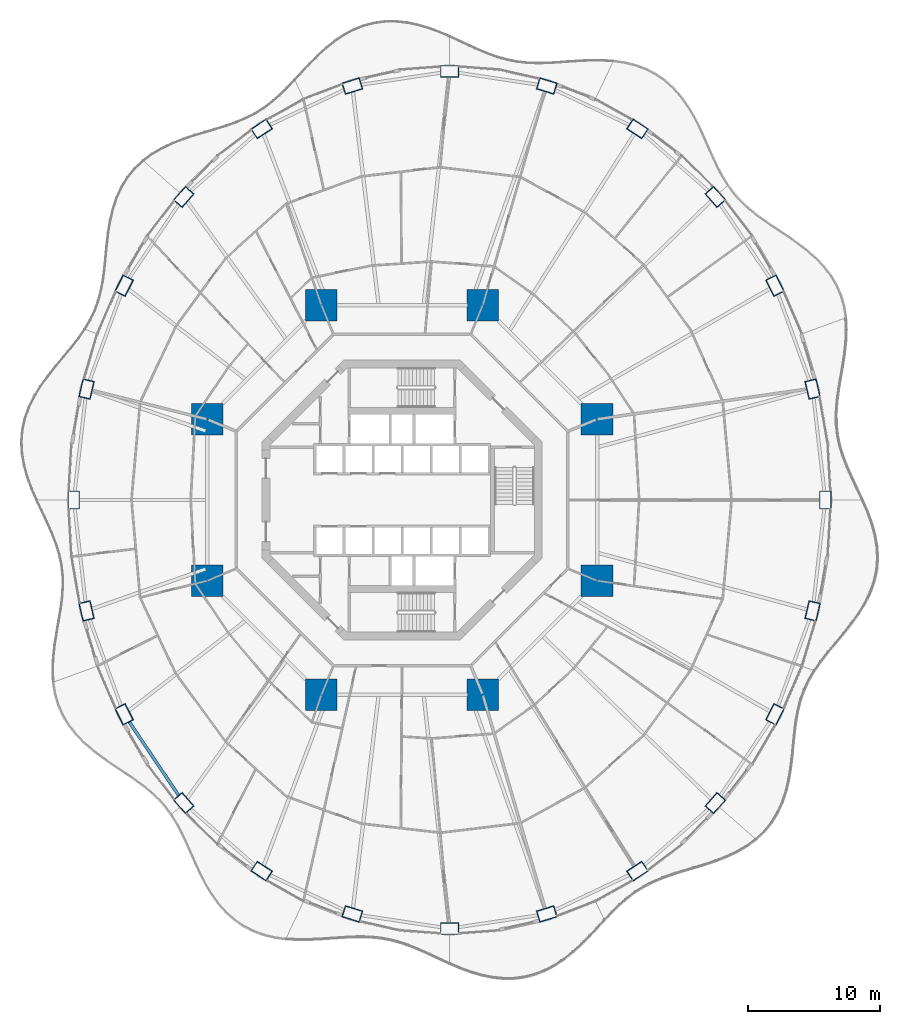
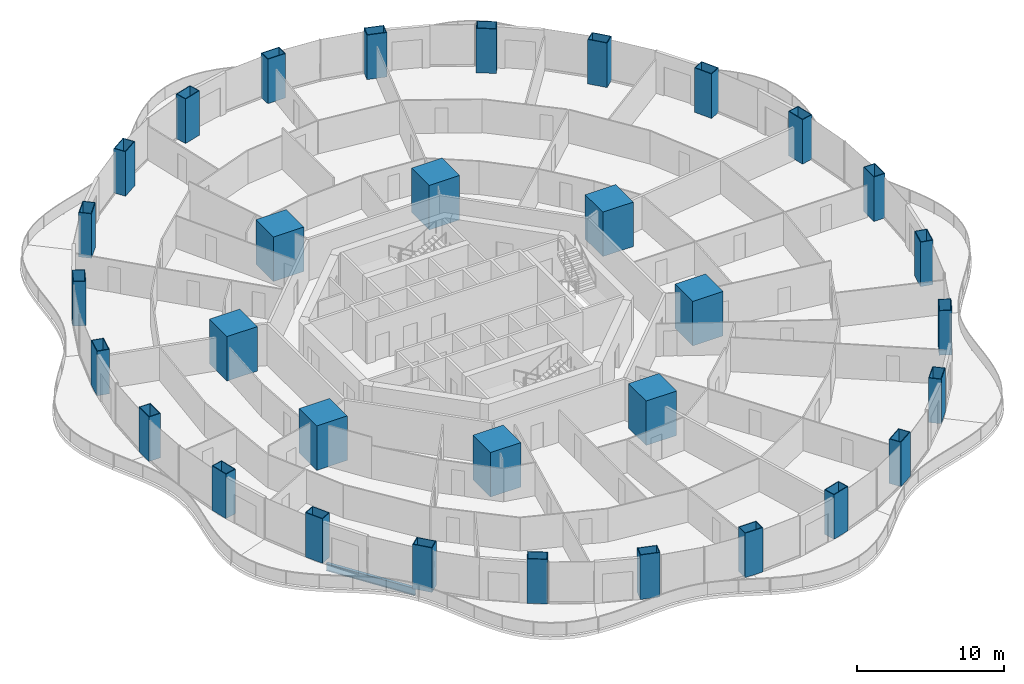
# One storey, part 1 of 22: 32 columns, 1 beam.
"""IFC4 building model written with IfcOpenShell, lengths in metres."""

from ifc_helpers import new_model, si_unit, direction, frame, origin, origin_2d, place, context, subcontext, project, spatial, rectangle, hollow_rectangle, i_section, extrude, material, material_profile, profile_set, type_object, element, save


model = new_model("IFC4")

# Units and contexts
model_context = context("Model", 3, precision=1e-05, world=origin(), true_north=direction((0.0, 1.0)))
body_context = subcontext(model_context, "Body", "Model", "MODEL_VIEW")
ifc_project = project(units=[si_unit("LENGTHUNIT", "METRE"), si_unit("AREAUNIT", "SQUARE_METRE"), si_unit("VOLUMEUNIT", "CUBIC_METRE"), si_unit("PLANEANGLEUNIT", "RADIAN"), si_unit("MASSUNIT", "GRAM", prefix="KILO")], contexts=[model_context])

# Site, building, storey
site_placement = place(None, origin())
site = spatial("IfcSite", under=ifc_project, at=site_placement, CompositionType="ELEMENT")
building_placement = place(site_placement, origin())
building = spatial("IfcBuilding", under=site, at=building_placement, Name="Nagisa Residences", CompositionType="ELEMENT")
storey_placement = place(building_placement, frame((0.0, 0.0, 38.10009765625)))
storey = spatial("IfcBuildingStorey", under=building, at=storey_placement, Name="L08", CompositionType="ELEMENT", Elevation=38.10009765625)

# Columns
ifc_material_1 = material(Name="Concrete C80", Category="concrete")
ifc_material_profile_1 = material_profile(ifc_material_1, rectangle(XDim=2.39990234375, YDim=2.39990234375, at=origin_2d()), Name="C80 2400x2400")
ifc_profile_set_1 = profile_set([ifc_material_profile_1], Name="Concrete C80")
column_type_1 = type_object("IfcColumnType", Name="Inner megacolumn C80 2400x2400", PredefinedType="COLUMN", material=ifc_profile_set_1)
for number, where, z_axis, x_axis, name in (
    (1, (14.781982421875, 6.123046875, 0.0), (0.0, 0.0, 1.0), (1.0, 0.0, 0.0), "col:L08:i1"),
    (2, (6.123046875, 14.781982421875, 0.0), (0.0, 0.0, 1.0), (1.0, 0.0, 0.0), "col:L08:i2"),
    (3, (-6.123046875, 14.781982421875, 0.0), (0.0, 0.0, 1.0), (1.0, 0.0, 0.0), "col:L08:i3"),
    (4, (-14.781982421875, 6.123046875, 0.0), (0.0, 0.0, 1.0), (1.0, 0.0, 0.0), "col:L08:i4"),
    (5, (-14.781982421875, -6.123046875, 0.0), (0.0, 0.0, 1.0), (1.0, 0.0, 0.0), "col:L08:i5"),
    (6, (-6.123046875, -14.781982421875, 0.0), (0.0, 0.0, 1.0), (1.0, 0.0, 0.0), "col:L08:i6"),
    (7, (6.123046875, -14.781982421875, 0.0), (0.0, 0.0, 1.0), (1.0, 0.0, 0.0), "col:L08:i7"),
    (8, (14.781982421875, -6.123046875, 0.0), (0.0, 0.0, 1.0), (1.0, 0.0, 0.0), "col:L08:i8"),
):
    element("IfcColumn", number, at=place(storey_placement, frame(where, z_axis=z_axis, x_axis=x_axis)), inside=storey, type_object=column_type_1, Name=name, PredefinedType="COLUMN", context=body_context, shape_type="SweptSolid", body=[
        extrude(rectangle(XDim=2.39990234375, YDim=2.39990234375, at=origin_2d()), origin(), (0.0, 0.0, 1.0), 3.699951171875),
    ])
ifc_material_2 = material(Name="Steel ASTM A572 Gr 50", Category="steel")
ifc_material_profile_2 = material_profile(ifc_material_2, hollow_rectangle(XDim=1.39990234375, YDim=0.89990234375, WallThickness=0.050048828125, at=origin_2d()), Name="BX 1400x900x50")
ifc_profile_set_2 = profile_set([ifc_material_profile_2], Name="Steel ASTM A572 Gr 50")
column_type_2 = type_object("IfcColumnType", Name="Perimeter column BX 1400x900x50", PredefinedType="COLUMN", material=ifc_profile_set_2)
for number, where, z_axis, x_axis, name in (
    (9, (32.10009765625, 0.0, 0.0), (0.0, 0.0, 1.0), (0.0, 1.0, 0.0), "col:L08:p00"),
    (10, (31.12890625, 8.41162109375, 0.0), (0.0, 0.0, 1.0), (-0.229202013103, 0.973378876486, 0.0), "col:L08:p01"),
    (11, (28.28173828125, 16.25, 0.0), (0.0, 0.0, 1.0), (-0.452462697578, 0.891783329795, 0.0), "col:L08:p02"),
    (12, (23.75244140625, 22.98095703125, 0.0), (0.0, 0.0, 1.0), (-0.660114607735, 0.751164898445, 0.0), "col:L08:p03"),
    (13, (17.85009765625, 28.145751953125, 0.0), (0.0, 0.0, 1.0), (-0.835766105673, 0.54908561865, 0.0), "col:L08:p04"),
    (14, (10.976318359375, 31.392578125, 0.0), (0.0, 0.0, 1.0), (-0.956524583408, 0.291651712384, 0.0), "col:L08:p05"),
    (15, (3.60009765625, 32.5, 0.0), (0.0, 0.0, 1.0), (-1.0, 0.0, 0.0), "col:L08:p06"),
    (16, (-3.7763671875, 31.392578125, 0.0), (0.0, 0.0, 1.0), (-0.956524583408, -0.291651712384, 0.0), "col:L08:p07"),
    (17, (-10.64990234375, 28.145751953125, 0.0), (0.0, 0.0, 1.0), (-0.835766105673, -0.54908561865, 0.0), "col:L08:p08"),
    (18, (-16.552490234375, 22.98095703125, 0.0), (0.0, 0.0, 1.0), (-0.660114607735, -0.751164898445, 0.0), "col:L08:p09"),
    (19, (-21.081787109375, 16.25, 0.0), (0.0, 0.0, 1.0), (-0.452462697578, -0.891783329795, 0.0), "col:L08:p10"),
    (20, (-23.928955078125, 8.41162109375, 0.0), (0.0, 0.0, 1.0), (-0.229202013103, -0.973378876486, 0.0), "col:L08:p11"),
    (21, (-24.89990234375, 0.0, 0.0), (0.0, 0.0, 1.0), (0.0, -1.0, 0.0), "col:L08:p12"),
    (22, (-23.928955078125, -8.41162109375, 0.0), (0.0, 0.0, 1.0), (0.229202013103, -0.973378876486, 0.0), "col:L08:p13"),
    (23, (-21.081787109375, -16.25, 0.0), (0.0, 0.0, 1.0), (0.452462697578, -0.891783329795, 0.0), "col:L08:p14"),
    (24, (-16.552490234375, -22.98095703125, 0.0), (0.0, 0.0, 1.0), (0.660114607735, -0.751164898445, 0.0), "col:L08:p15"),
    (25, (-10.64990234375, -28.145751953125, 0.0), (0.0, 0.0, 1.0), (0.835766105673, -0.54908561865, 0.0), "col:L08:p16"),
    (26, (-3.7763671875, -31.392578125, 0.0), (0.0, 0.0, 1.0), (0.956524583408, -0.291651712384, 0.0), "col:L08:p17"),
    (27, (3.60009765625, -32.5, 0.0), (0.0, 0.0, 1.0), (1.0, 0.0, 0.0), "col:L08:p18"),
    (28, (10.976318359375, -31.392578125, 0.0), (0.0, 0.0, 1.0), (0.956524583408, 0.291651712384, 0.0), "col:L08:p19"),
    (29, (17.85009765625, -28.145751953125, 0.0), (0.0, 0.0, 1.0), (0.835766105673, 0.54908561865, 0.0), "col:L08:p20"),
    (30, (23.75244140625, -22.98095703125, 0.0), (0.0, 0.0, 1.0), (0.660114607735, 0.751164898445, 0.0), "col:L08:p21"),
    (31, (28.28173828125, -16.25, 0.0), (0.0, 0.0, 1.0), (0.452462697578, 0.891783329795, 0.0), "col:L08:p22"),
    (32, (31.12890625, -8.41162109375, 0.0), (0.0, 0.0, 1.0), (0.229202013103, 0.973378876486, 0.0), "col:L08:p23"),
):
    element("IfcColumn", number, at=place(storey_placement, frame(where, z_axis=z_axis, x_axis=x_axis)), inside=storey, type_object=column_type_2, Name=name, PredefinedType="COLUMN", context=body_context, shape_type="SweptSolid", body=[
        extrude(hollow_rectangle(XDim=1.39990234375, YDim=0.89990234375, WallThickness=0.050048828125, at=origin_2d()), origin(), (0.0, 0.0, 1.0), 3.699951171875),
    ])

# Beam
ifc_material_3 = material(Name="Steel ASTM A572 Gr 50", Category="steel")
ifc_material_profile_3 = material_profile(ifc_material_3, i_section(OverallWidth=0.22802734375, OverallDepth=0.60302734375, WebThickness=0.010498046875, FlangeThickness=0.014892578125, at=origin_2d()), Name="W610x101")
ifc_profile_set_3 = profile_set([ifc_material_profile_3], Name="Steel ASTM A572 Gr 50")
beam_type = type_object("IfcBeamType", Name="Perimeter ring beam W610x101", PredefinedType="BEAM", material=ifc_profile_set_3)
beam_placement = place(storey_placement, frame((-20.69921875, -16.818603515625, -0.5615234375), z_axis=(0.558296806041, -0.829641293792, 0.0), x_axis=(0.829641293792, 0.558296806041, 0.0)))
element("IfcBeam", 33, at=beam_placement, inside=storey, type_object=beam_type, Name="beam:L08:pb15", PredefinedType="BEAM", context=body_context, shape_type="SweptSolid", body=[
    extrude(i_section(OverallWidth=0.22802734375, OverallDepth=0.60302734375, WebThickness=0.010498046875, FlangeThickness=0.014892578125, at=origin_2d()), origin(), (0.0, 0.0, 1.0), 6.74169921875),
])

save(model, "model.ifc")
